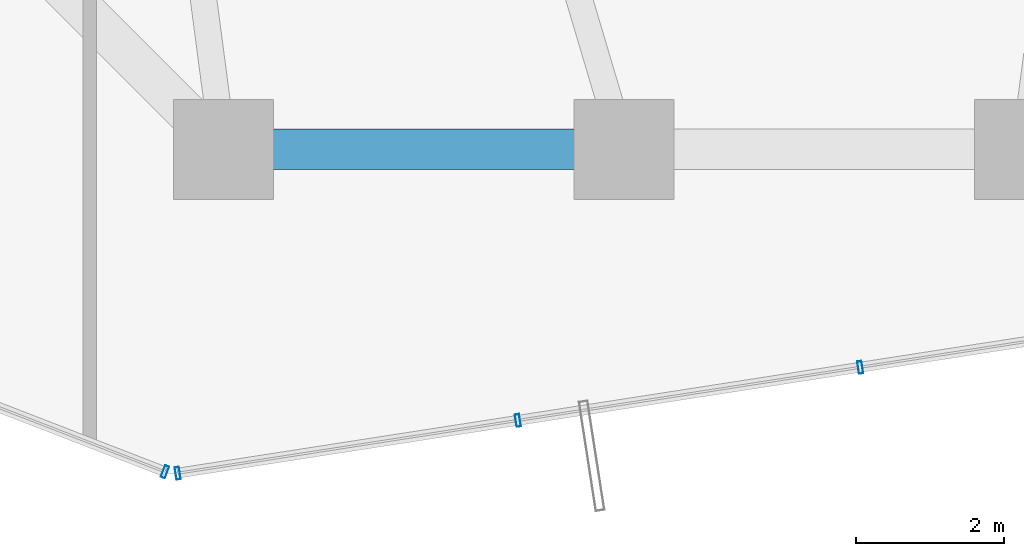
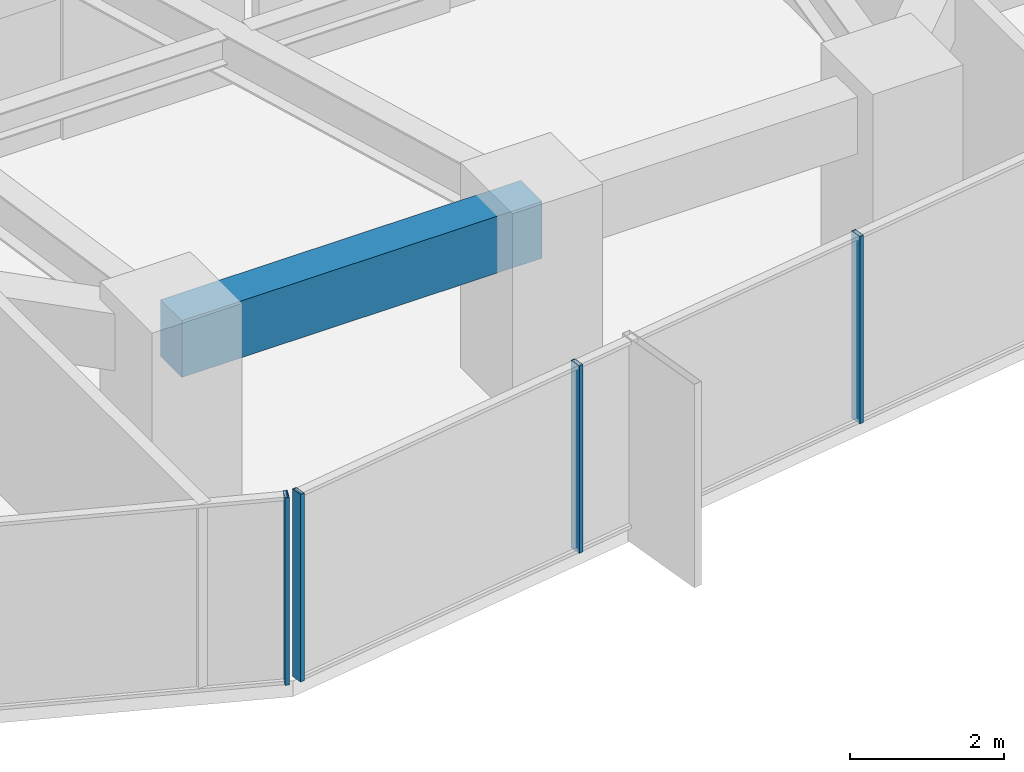
# One storey, part 6 of 37: 4 members, 1 beam, 2 elements without a shape of their own.
"""IFC4 building model written with IfcOpenShell, lengths in metres."""

import ifcopenshell
import ifcopenshell.guid

model = None  # the IFC model being written
_history = None  # IfcOwnerHistory: only IFC2X3 demands one
_inside = {}  # id of a spatial element -> (the spatial element, [elements in it])
_under = {}  # id of a project, library or spatial element -> (it, [spatial elements below it])
_declared = {}  # id of a project -> (the project, [libraries it declares])
_typed = {}  # id of a type object -> (the type object, [elements of that type])
_made_of = {}  # id of a material, layer set ... -> (it, [elements and type objects made of it])


def new_model(schema):
    """Start an empty IFC model of exactly this schema.

    Asked for "IFC4X3", IfcOpenShell would pick the latest addendum, in which some entities
    have other attributes; the version numbers below select the first issue.
    IFC2X3 requires an IfcOwnerHistory on every rooted entity: one is made here for all.
    """
    global model, _history
    if schema == "IFC4X3":
        model = ifcopenshell.file(schema_version=(4, 3, 0, 0))
    else:
        model = ifcopenshell.file(schema=schema)
    _inside.clear()
    _under.clear()
    _declared.clear()
    _typed.clear()
    _made_of.clear()
    _history = None
    if model.schema == "IFC2X3":
        org = make("IfcOrganization", Name="unknown")
        user = make(
            "IfcPersonAndOrganization",
            ThePerson=make("IfcPerson", FamilyName="unknown"),
            TheOrganization=org,
        )
        app = make(
            "IfcApplication",
            ApplicationDeveloper=org,
            Version="unknown",
            ApplicationFullName="unknown",
            ApplicationIdentifier="unknown",
        )
        _history = make(
            "IfcOwnerHistory",
            OwningUser=user,
            OwningApplication=app,
            ChangeAction="ADDED",
            CreationDate=0,
        )
    return model


def make(cls, **values):
    """One entity of the class cls with the attributes given. An attribute that is None is left unset."""
    return model.create_entity(
        cls, **{name: value for name, value in values.items() if value is not None}
    )


def rooted(cls, **values):
    """An entity with a GlobalId (a new one), such as an element, a storey or a relation."""
    return make(cls, GlobalId=ifcopenshell.guid.new(), OwnerHistory=_history, **values)


def si_unit(unit_type, name, prefix=None):
    """IfcSIUnit, for example si_unit("LENGTHUNIT", "METRE", prefix="MILLI")."""
    return make("IfcSIUnit", UnitType=unit_type, Prefix=prefix, Name=name)


def assignment(units):
    """IfcUnitAssignment: the units of a project."""
    return None if units is None else make("IfcUnitAssignment", Units=units)


def point(xyz):
    """IfcCartesianPoint."""
    return None if xyz is None else make("IfcCartesianPoint", Coordinates=xyz)


def direction(xyz):
    """IfcDirection."""
    return None if xyz is None else make("IfcDirection", DirectionRatios=xyz)


def frame(location, z_axis=None, x_axis=None):
    """IfcAxis2Placement3D, a coordinate frame: its origin and axes. An axis left out is left unset."""
    return make(
        "IfcAxis2Placement3D",
        Location=point(location),
        Axis=direction(z_axis),
        RefDirection=direction(x_axis),
    )


def frame_2d(location, x_axis=None):
    """IfcAxis2Placement2D, a coordinate frame in the plane: its origin and x axis."""
    return make(
        "IfcAxis2Placement2D", Location=point(location), RefDirection=direction(x_axis)
    )


def origin():
    """The frame at (0, 0, 0) with its axes left unset."""
    return frame((0.0, 0.0, 0.0))


def origin_2d():
    """The frame at (0, 0) in the plane with its x axis left unset."""
    return frame_2d((0.0, 0.0))


def place(relative_to, where):
    """IfcLocalPlacement: puts the frame where relative to a parent placement (None: the world)."""
    return make(
        "IfcLocalPlacement", PlacementRelTo=relative_to, RelativePlacement=where
    )


def context(
    kind, dimensions, precision=None, world=None, true_north=None, identifier=None
):
    """IfcGeometricRepresentationContext, for example the 3D "Model" context."""
    return make(
        "IfcGeometricRepresentationContext",
        ContextIdentifier=identifier,
        ContextType=kind,
        CoordinateSpaceDimension=dimensions,
        Precision=precision,
        WorldCoordinateSystem=world,
        TrueNorth=true_north,
    )


def subcontext(parent, identifier, kind, view, scale=None):
    """IfcGeometricRepresentationSubContext, for example "Body" below "Model"."""
    return make(
        "IfcGeometricRepresentationSubContext",
        ContextIdentifier=identifier,
        ContextType=kind,
        ParentContext=parent,
        TargetScale=scale,
        TargetView=view,
    )


def project(units=None, contexts=None):
    """IfcProject with its units and contexts."""
    return rooted(
        "IfcProject",
        Name="project",
        RepresentationContexts=contexts,
        UnitsInContext=assignment(units),
    )


def spatial(cls, under=None, at=None, **own):
    """A site, building, storey or space (cls), placed at a placement, below another one or the project."""
    s = rooted(cls, ObjectPlacement=at, **own)
    if under is not None:
        _under.setdefault(under.id(), (under, []))[1].append(s)
    return s


def profile(cls, at=None, kind="AREA", **sizes):
    """A parametric profile (cls). Its sizes go by their IFC names, for example OverallWidth=200.0."""
    return make(cls, ProfileType=kind, Position=at, **sizes)


def rectangle(**sizes):
    """IfcRectangleProfileDef."""
    return profile("IfcRectangleProfileDef", **sizes)


def hollow_rectangle(**sizes):
    """IfcRectangleHollowProfileDef."""
    return profile("IfcRectangleHollowProfileDef", **sizes)


def extrude(swept, where, along, depth):
    """IfcExtrudedAreaSolid: the profile swept, set in the frame where, extruded along a direction by depth."""
    return make(
        "IfcExtrudedAreaSolid",
        SweptArea=swept,
        Position=where,
        ExtrudedDirection=direction(along),
        Depth=depth,
    )


def shape(context_of_items, identifier, shape_type, items):
    """IfcShapeRepresentation: the items that make up one representation, for example the "Body"."""
    return make(
        "IfcShapeRepresentation",
        ContextOfItems=context_of_items,
        RepresentationIdentifier=identifier,
        RepresentationType=shape_type,
        Items=items,
    )


def source(mapping_origin, context_of_items, identifier, shape_type, items):
    """IfcRepresentationMap: a shape defined once, which mapped items show again and again."""
    return make(
        "IfcRepresentationMap",
        MappingOrigin=mapping_origin,
        MappedRepresentation=shape(context_of_items, identifier, shape_type, items),
    )


def transform(
    local_origin,
    x_axis=None,
    y_axis=None,
    z_axis=None,
    scale=None,
    scale2=None,
    scale3=None,
    uniform=True,
):
    """IfcCartesianTransformationOperator3D, or its non-uniform kind. x_axis, y_axis, z_axis: its Axis1, 2, 3."""
    if uniform:
        return make(
            "IfcCartesianTransformationOperator3D",
            Axis1=direction(x_axis),
            Axis2=direction(y_axis),
            LocalOrigin=point(local_origin),
            Scale=scale,
            Axis3=direction(z_axis),
        )
    return make(
        "IfcCartesianTransformationOperator3DnonUniform",
        Axis1=direction(x_axis),
        Axis2=direction(y_axis),
        LocalOrigin=point(local_origin),
        Scale=scale,
        Axis3=direction(z_axis),
        Scale2=scale2,
        Scale3=scale3,
    )


def mapped(mapping_source, mapping_target):
    """IfcMappedItem: shows the shape of a source again, moved by a transform."""
    return make(
        "IfcMappedItem", MappingSource=mapping_source, MappingTarget=mapping_target
    )


def material(Name=None, Category=None):
    """IfcMaterial."""
    return make("IfcMaterial", Name=Name, Category=Category)


def layer(
    of_material, thickness, ventilated=None, Name=None, Category=None, Priority=None
):
    """IfcMaterialLayer: one layer of a wall or slab, of a material (None: an air gap)."""
    return make(
        "IfcMaterialLayer",
        Material=of_material,
        LayerThickness=thickness,
        IsVentilated=ventilated,
        Name=Name,
        Category=Category,
        Priority=Priority,
    )


def layer_set(layers, Name=None):
    """IfcMaterialLayerSet."""
    return make("IfcMaterialLayerSet", MaterialLayers=layers, LayerSetName=Name)


def material_profile(
    of_material, cross_section, Name=None, Category=None, Priority=None
):
    """IfcMaterialProfile: a cross section and its material."""
    return make(
        "IfcMaterialProfile",
        Name=Name,
        Material=of_material,
        Profile=cross_section,
        Priority=Priority,
        Category=Category,
    )


def profile_set(profiles, Name=None, composite=None):
    """IfcMaterialProfileSet."""
    return make(
        "IfcMaterialProfileSet",
        Name=Name,
        MaterialProfiles=profiles,
        CompositeProfile=composite,
    )


def made_of(thing, what):
    """Note that an element or type object is made of a material, layer set ...; save() writes the relation."""
    if what is not None:
        _made_of.setdefault(what.id(), (what, []))[1].append(thing)
    return thing


def type_object(cls, material=None, **own):
    """A type object (cls), such as IfcWallType, which elements share."""
    return made_of(rooted(cls, **own), material)


def element(
    cls,
    number,
    at=None,
    inside=None,
    cuts=None,
    type_object=None,
    material=None,
    context=None,
    identifier="Body",
    shape_type=None,
    held_by="IfcProductDefinitionShape",
    body=None,
    shapes=None,
    **own,
):
    """One element of the class cls, such as IfcWall. Its Tag is "e" and its number.

    at: its placement. inside: the storey or other place that contains it. cuts: it is an
    opening in that element (IfcRelVoidsElement). A single representation is given by context,
    identifier, shape_type and body (its items); several are given by shapes. held_by: the class
    of the entity that holds the representations. save() writes the other relations.
    """
    e = rooted(cls, Tag="e%d" % number, ObjectPlacement=at, **own)
    if body is not None:
        shapes = [shape(context, identifier, shape_type, body)]
    if shapes is not None:
        e.Representation = make(held_by, Representations=shapes)
    if inside is not None:
        _inside.setdefault(inside.id(), (inside, []))[1].append(e)
    if cuts is not None:
        rooted(
            "IfcRelVoidsElement", RelatingBuildingElement=cuts, RelatedOpeningElement=e
        )
    if type_object is not None:
        _typed.setdefault(type_object.id(), (type_object, []))[1].append(e)
    return made_of(e, material)


def aggregate(whole, parts):
    """IfcRelAggregates: a whole, such as a stair, and the parts it consists of."""
    return rooted("IfcRelAggregates", RelatingObject=whole, RelatedObjects=parts)


def save(model, path):
    """Write the relations noted so far, then the file.

    IfcRelAggregates (storeys below a building ...), IfcRelContainedInSpatialStructure (elements
    in a storey), IfcRelDefinesByType, IfcRelAssociatesMaterial and IfcRelDeclares: one each for
    every whole, place, type object, material and project.
    """
    for whole, parts in _under.values():
        aggregate(whole, parts)
    for where, things in _inside.values():
        rooted(
            "IfcRelContainedInSpatialStructure",
            RelatedElements=things,
            RelatingStructure=where,
        )
    for kind, things in _typed.values():
        rooted("IfcRelDefinesByType", RelatedObjects=things, RelatingType=kind)
    for what, things in _made_of.values():
        rooted("IfcRelAssociatesMaterial", RelatedObjects=things, RelatingMaterial=what)
    for by, libraries in _declared.values():
        rooted("IfcRelDeclares", RelatingContext=by, RelatedDefinitions=libraries)
    model.write(path)


model = new_model("IFC4")

# Units and contexts
model_context = context("Model", 3, precision=1e-05, world=origin(), true_north=direction((0.0, 1.0)))
body_context = subcontext(model_context, "Body", "Model", "MODEL_VIEW")
ifc_project = project(units=[si_unit("LENGTHUNIT", "METRE"), si_unit("AREAUNIT", "SQUARE_METRE"), si_unit("VOLUMEUNIT", "CUBIC_METRE"), si_unit("PLANEANGLEUNIT", "RADIAN"), si_unit("MASSUNIT", "GRAM", prefix="KILO")], contexts=[model_context])

# Site, building, storey
site_placement = place(None, origin())
site = spatial("IfcSite", under=ifc_project, at=site_placement, CompositionType="ELEMENT")
building_placement = place(site_placement, origin())
building = spatial("IfcBuilding", under=site, at=building_placement, Name="Veraguas Prism Commons", CompositionType="ELEMENT")
storey_placement = place(building_placement, frame((0.0, 0.0, 53.300048828125)))
storey = spatial("IfcBuildingStorey", under=building, at=storey_placement, Name="L14", CompositionType="ELEMENT", Elevation=53.300048828125)

# Beam
ifc_material_1 = material(Name="Concrete C50/60", Category="concrete")
ifc_material_profile_1 = material_profile(ifc_material_1, rectangle(XDim=0.550048828125, YDim=0.89990234375, at=origin_2d()), Name="RC550X900")
ifc_profile_set_1 = profile_set([ifc_material_profile_1], Name="Concrete C50/60")
beam_type = type_object("IfcBeamType", Name="Perimeter Spandrel Lower RC 550x900", PredefinedType="SPANDREL", material=ifc_profile_set_1)
beam_placement = place(storey_placement, frame((18.60009765625, 6.39990234375, 2.52001953125), z_axis=(1.0, 0.0, 0.0), x_axis=(0.0, 1.0, 0.0)))
element("IfcBeam", 1, at=beam_placement, inside=storey, type_object=beam_type, Name="Perimeter Spandrel Beam L14-SP10", PredefinedType="SPANDREL", context=body_context, shape_type="SweptSolid", body=[
    extrude(rectangle(XDim=0.550048828125, YDim=0.89990234375, at=origin_2d()), origin(), (0.0, 0.0, 1.0), 5.39990234375),
])

# Curtain wall, members
ifc_material_2 = material(Name="Anodised aluminium EN AW-6063 T6", Category="aluminium")
ifc_layer = layer(ifc_material_2, 0.169921875, Name="Unitised Flush Curtain Wall Zone 1", Category="aluminium")
ifc_layer_set = layer_set([ifc_layer], Name="Anodised aluminium EN AW-6063 T6")
curtain_wall_type = type_object("IfcCurtainWallType", Name="Unitised Flush Curtain Wall Zone 1", PredefinedType="NOTDEFINED", material=ifc_layer_set)
curtain_wall_1_placement = place(storey_placement, origin())
curtain_wall_1 = element("IfcCurtainWall", 2, at=curtain_wall_1_placement, inside=storey, type_object=curtain_wall_type, Name="Tower Facade Curtain Wall L14-F5", PredefinedType="NOTDEFINED")
ifc_material_profile_2 = material_profile(ifc_material_2, hollow_rectangle(XDim=0.06005859375, YDim=0.169921875, WallThickness=0.00390625, at=origin_2d()), Name="AL60X170X4")
ifc_profile_set_2 = profile_set([ifc_material_profile_2], Name="Anodised aluminium EN AW-6063 T6")
member_type = type_object("IfcMemberType", Name="Curtain Wall Mullion Lower AL 60x170x4", PredefinedType="MULLION", material=ifc_profile_set_2)
shared_shape = source(origin(), body_context, "Body", "SweptSolid", [
    extrude(hollow_rectangle(XDim=0.06005859375, YDim=0.169921875, WallThickness=0.00390625, at=origin_2d()), origin(), (0.0, 0.0, 1.0), 2.969970703125),
])
member_1_placement = place(storey_placement, frame((17.985107421875, 2.033447265625, 0.0), z_axis=(0.0, 0.0, 1.0), x_axis=(0.98817491911, 0.153330783737, 0.0)))
member_1 = element("IfcMember", 3, at=member_1_placement, type_object=member_type, Name="CW-Z1 Mullion 1", PredefinedType="MULLION", context=body_context, shape_type="MappedRepresentation", body=[
    mapped(shared_shape, transform((0.0, 0.0, 0.0), scale=1.0)),
])
member_2_placement = place(storey_placement, frame((22.5712890625, 2.7451171875, 0.0), z_axis=(0.0, 0.0, 1.0), x_axis=(0.98817491911, 0.153330783737, 0.0)))
member_2 = element("IfcMember", 4, at=member_2_placement, type_object=member_type, Name="CW-Z1 Mullion 2", PredefinedType="MULLION", context=body_context, shape_type="MappedRepresentation", body=[
    mapped(shared_shape, transform((0.0, 0.0, 0.0), scale=1.0)),
])
member_3_placement = place(storey_placement, frame((27.18701171875, 3.461181640625, 0.0), z_axis=(0.0, 0.0, 1.0), x_axis=(0.98817491911, 0.153330783737, 0.0)))
member_3 = element("IfcMember", 5, at=member_3_placement, type_object=member_type, Name="CW-Z1 Mullion 3", PredefinedType="MULLION", context=body_context, shape_type="MappedRepresentation", body=[
    mapped(shared_shape, transform((0.0, 0.0, 0.0), scale=1.0)),
])
aggregate(curtain_wall_1, [member_1, member_2, member_3])

# Curtain wall, member
curtain_wall_2_placement = place(storey_placement, origin())
curtain_wall_2 = element("IfcCurtainWall", 6, at=curtain_wall_2_placement, inside=storey, type_object=curtain_wall_type, Name="Chamfer Curtain Wall L14-C5", PredefinedType="NOTDEFINED")
member_4_placement = place(storey_placement, frame((17.812255859375, 2.05224609375, 0.0), z_axis=(0.0, 0.0, 1.0), x_axis=(0.932458803125, -0.361276321498, 0.0)))
member_4 = element("IfcMember", 7, at=member_4_placement, type_object=member_type, Name="CW-Z1 Mullion 2", PredefinedType="MULLION", context=body_context, shape_type="MappedRepresentation", body=[
    mapped(shared_shape, transform((0.0, 0.0, 0.0), scale=1.0)),
])
aggregate(curtain_wall_2, [member_4])

save(model, "model.ifc")
